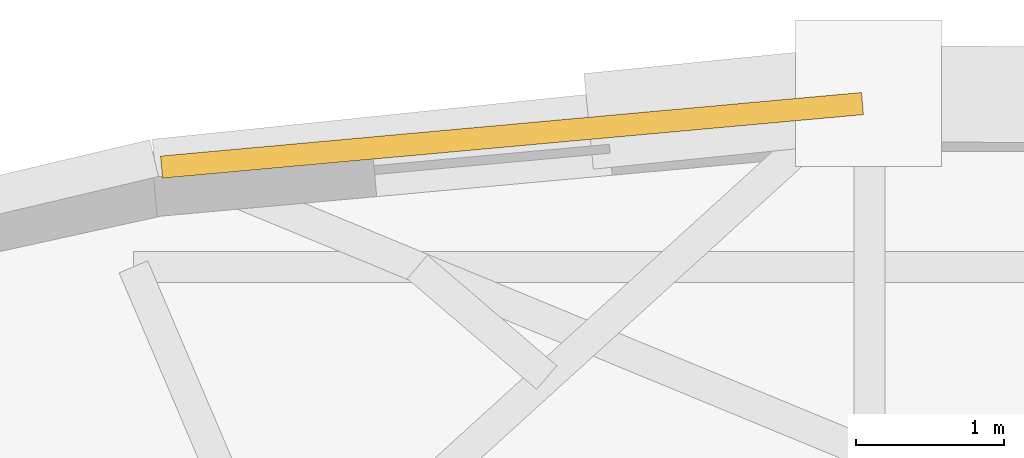
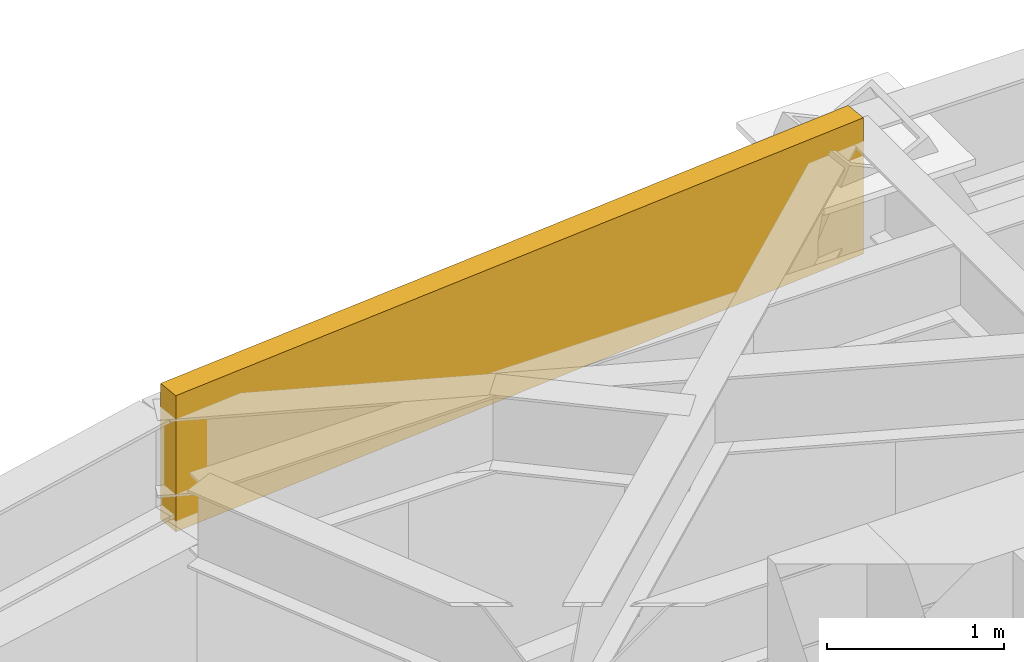
# One storey, part 14 of 14: 1 covering.
"""IFC4 building model written with IfcOpenShell, lengths in metres."""

from ifc_helpers import new_model, si_unit, direction, frame, origin, origin_2d, place, context, subcontext, project, spatial, rectangle, extrude, material, layer, layer_set, type_object, element, save


model = new_model("IFC4")

# Units and contexts
model_context = context("Model", 3, precision=1e-05, world=origin(), true_north=direction((0.0, 1.0)))
body_context = subcontext(model_context, "Body", "Model", "MODEL_VIEW")
ifc_project = project(units=[si_unit("LENGTHUNIT", "METRE"), si_unit("AREAUNIT", "SQUARE_METRE"), si_unit("VOLUMEUNIT", "CUBIC_METRE"), si_unit("PLANEANGLEUNIT", "RADIAN"), si_unit("MASSUNIT", "GRAM", prefix="KILO")], contexts=[model_context])

# Site, building, storey
site_placement = place(None, origin())
site = spatial("IfcSite", under=ifc_project, at=site_placement, CompositionType="ELEMENT")
building_placement = place(site_placement, origin())
building = spatial("IfcBuilding", under=site, at=building_placement, Name="Keldmark Tower", CompositionType="ELEMENT")
storey_placement = place(building_placement, frame((0.0, 0.0, 153.39990234375)))
storey = spatial("IfcBuildingStorey", under=building, at=storey_placement, Name="L41", CompositionType="ELEMENT", Elevation=153.39990234375)

# Covering
ifc_material = material(Name="Honed Kasota Buff Dolomitic Limestone", Category="masonry")
ifc_layer = layer(ifc_material, 0.074951171875)
ifc_layer_set = layer_set([ifc_layer], Name="Honed Kasota Buff Dolomitic Limestone")
covering_type = type_object("IfcCoveringType", Name="Kasota Buff Limestone Spandrel Cladding Band", PredefinedType="CLADDING", material=ifc_layer_set)
covering_placement = place(storey_placement, frame((-4.853759765625, 16.411865234375, 2.2392578125), z_axis=(0.0, 0.0, 1.0), x_axis=(-0.995912822535, -0.090319709419, 0.0)))
element("IfcCovering", 1, at=covering_placement, inside=storey, type_object=covering_type, Name="L41 Kasota Limestone Spandrel Band 09", PredefinedType="CLADDING", context=body_context, shape_type="SweptSolid", body=[
    extrude(rectangle(XDim=4.76220703125, YDim=0.14990234375, at=origin_2d()), origin(), (0.0, 0.0, 1.0), 0.94091796875),
])

save(model, "model.ifc")
